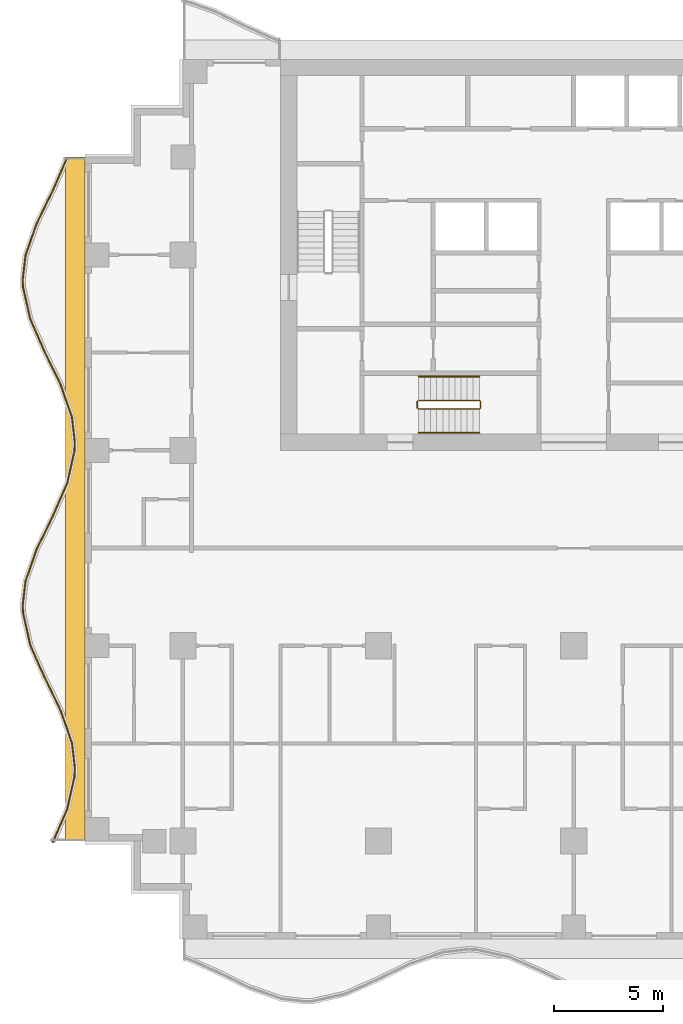
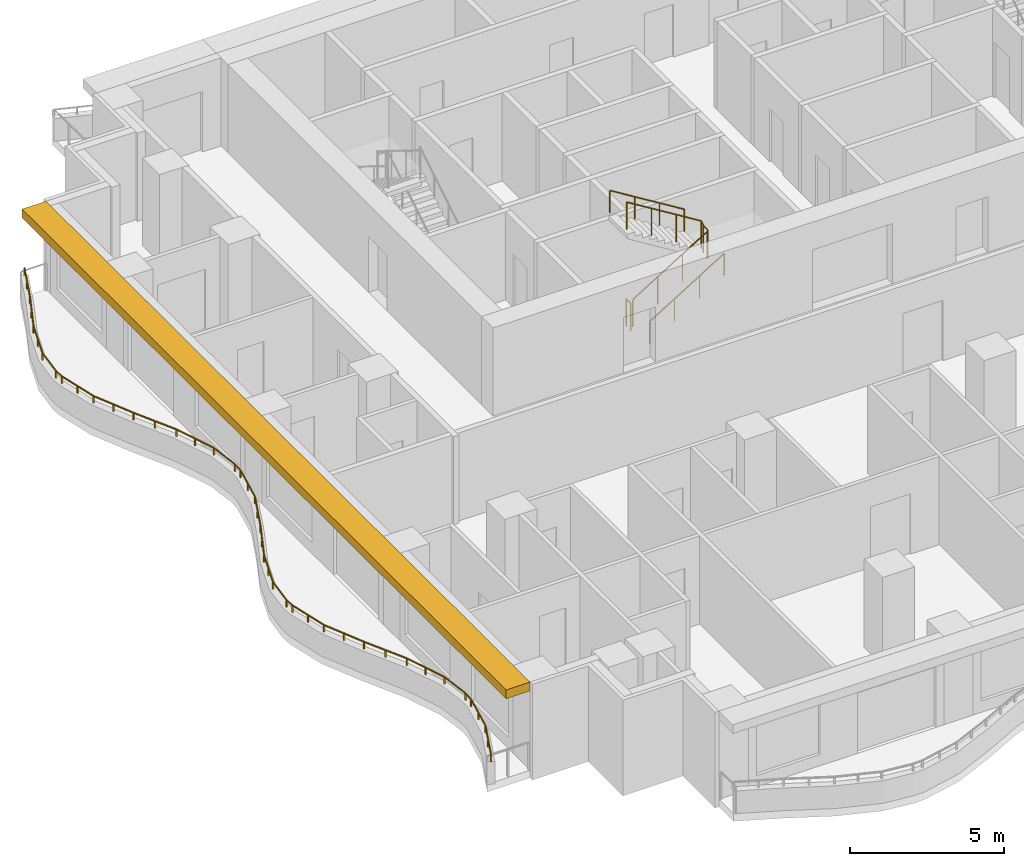
# One storey, part 8 of 10: 5 railings, 1 shading device.
"""IFC4 building model written with IfcOpenShell, lengths in metres."""

from ifc_helpers import new_model, si_unit, direction, frame, origin, origin_2d, place, context, subcontext, project, spatial, polyline, rectangle, circle, outline, extrude, material, layer, layer_set, type_object, element, save


model = new_model("IFC4")

# Units and contexts
model_context = context("Model", 3, precision=1e-05, world=origin(), true_north=direction((0.0, 1.0)))
body_context = subcontext(model_context, "Body", "Model", "MODEL_VIEW")
ifc_project = project(units=[si_unit("LENGTHUNIT", "METRE"), si_unit("AREAUNIT", "SQUARE_METRE"), si_unit("VOLUMEUNIT", "CUBIC_METRE"), si_unit("PLANEANGLEUNIT", "RADIAN"), si_unit("MASSUNIT", "GRAM", prefix="KILO")], contexts=[model_context])

# Site, building, storey
site_placement = place(None, origin())
site = spatial("IfcSite", under=ifc_project, at=site_placement, CompositionType="ELEMENT")
building_placement = place(site_placement, origin())
building = spatial("IfcBuilding", under=site, at=building_placement, Name="Orbiselva Terraces", CompositionType="ELEMENT")
storey_placement = place(building_placement, frame((0.0, 0.0, 170.6)))
storey = spatial("IfcBuildingStorey", under=building, at=storey_placement, Name="L43", CompositionType="ELEMENT", Elevation=170.6)

# Railings
ifc_material_1 = material(Name="Stainless steel", Category="steel")
railing_type_1 = type_object("IfcRailingType", Name="CORE-GUARD-1100", PredefinedType="GUARDRAIL", material=ifc_material_1)
railing_1_placement = place(storey_placement, frame((-7.15, 6.4, 0.172727)))
element("IfcRailing", 1, at=railing_1_placement, inside=storey, type_object=railing_type_1, Name="L43 S3 stair guard 1", PredefinedType="GUARDRAIL", context=body_context, shape_type="SweptSolid", body=[
    extrude(circle(Radius=0.024, at=origin_2d()), frame((0.0, 0.0, 1.081), z_axis=(0.851088519012, 0.0, 0.52502222125), x_axis=(0.0, 1.0, 0.0)), (0.0, 0.0, 1.0), 3.289905),
    extrude(circle(Radius=0.024, at=origin_2d()), frame((2.8, 0.0, 2.808273), z_axis=(0.707106781187, 0.707106781187, 0.0), x_axis=(-0.707106781187, 0.707106781187, 0.0)), (0.0, 0.0, 1.0), 0.070711),
    extrude(circle(Radius=0.024, at=origin_2d()), frame((2.85, 0.05, 2.808273), z_axis=(0.0, 1.0, 0.0), x_axis=(-1.0, 0.0, 0.0)), (0.0, 0.0, 1.0), 0.3),
    extrude(circle(Radius=0.024, at=origin_2d()), frame((2.85, 0.35, 2.808273), z_axis=(-0.267894925557, 0.267894925557, 0.925453736133), x_axis=(-0.707106781187, -0.707106781187, 0.0)), (0.0, 0.0, 1.0), 0.18664),
    extrude(circle(Radius=0.024, at=origin_2d()), frame((2.8, 0.4, 2.981), z_axis=(-0.851088519012, 0.0, 0.52502222125), x_axis=(0.0, -1.0, 0.0)), (0.0, 0.0, 1.0), 3.289905),
    extrude(circle(Radius=0.021, at=origin_2d()), origin(), (0.0, 0.0, 1.0), 1.057),
    extrude(circle(Radius=0.021, at=origin_2d()), frame((0.933333, 0.0, 0.575758)), (0.0, 0.0, 1.0), 1.057),
    extrude(circle(Radius=0.021, at=origin_2d()), frame((1.866667, 0.0, 1.151515)), (0.0, 0.0, 1.0), 1.057),
    extrude(circle(Radius=0.021, at=origin_2d()), frame((2.8, 0.0, 1.727273)), (0.0, 0.0, 1.0), 1.057),
    extrude(circle(Radius=0.021, at=origin_2d()), frame((2.85, 0.05, 1.727273)), (0.0, 0.0, 1.0), 1.057),
    extrude(circle(Radius=0.021, at=origin_2d()), frame((2.85, 0.35, 1.727273)), (0.0, 0.0, 1.0), 1.057),
    extrude(circle(Radius=0.021, at=origin_2d()), frame((2.8, 0.4, 1.9)), (0.0, 0.0, 1.0), 1.057),
    extrude(circle(Radius=0.021, at=origin_2d()), frame((1.866667, 0.4, 2.475758)), (0.0, 0.0, 1.0), 1.057),
    extrude(circle(Radius=0.021, at=origin_2d()), frame((0.933333, 0.4, 3.051515)), (0.0, 0.0, 1.0), 1.057),
    extrude(circle(Radius=0.021, at=origin_2d()), frame((0.0, 0.4, 3.627273)), (0.0, 0.0, 1.0), 1.057),
])
railing_2_placement = place(storey_placement, frame((-7.2, 6.45, 0.0)))
element("IfcRailing", 2, at=railing_2_placement, inside=storey, type_object=railing_type_1, Name="L43 S3 stair guard 2", PredefinedType="GUARDRAIL", context=body_context, shape_type="SweptSolid", body=[
    extrude(circle(Radius=0.024, at=origin_2d()), frame((0.0, 0.0, 1.081), z_axis=(0.0, 1.0, 0.0), x_axis=(-1.0, 0.0, 0.0)), (0.0, 0.0, 1.0), 0.3),
    extrude(circle(Radius=0.021, at=origin_2d()), origin(), (0.0, 0.0, 1.0), 1.057),
    extrude(circle(Radius=0.021, at=origin_2d()), frame((0.0, 0.3, 0.0)), (0.0, 0.0, 1.0), 1.057),
])
railing_type_2 = type_object("IfcRailingType", Name="CORE-HANDRAIL-900", PredefinedType="HANDRAIL", material=ifc_material_1)
railing_3_placement = place(storey_placement, frame((-7.15, 5.3, 0.172727)))
element("IfcRailing", 3, at=railing_3_placement, inside=storey, type_object=railing_type_2, Name="L43 S3 stair handrail 1", PredefinedType="HANDRAIL", context=body_context, shape_type="SweptSolid", body=[
    extrude(circle(Radius=0.024, at=origin_2d()), frame((0.0, 0.0, 0.876), z_axis=(0.851088519012, 0.0, 0.52502222125), x_axis=(0.0, 1.0, 0.0)), (0.0, 0.0, 1.0), 3.289905),
    extrude(circle(Radius=0.021, at=origin_2d()), origin(), (0.0, 0.0, 1.0), 0.852),
    extrude(circle(Radius=0.021, at=origin_2d()), frame((0.933333, 0.0, 0.575758)), (0.0, 0.0, 1.0), 0.852),
    extrude(circle(Radius=0.021, at=origin_2d()), frame((1.866667, 0.0, 1.151515)), (0.0, 0.0, 1.0), 0.852),
    extrude(circle(Radius=0.021, at=origin_2d()), frame((2.8, 0.0, 1.727273)), (0.0, 0.0, 1.0), 0.852),
])
railing_4_placement = place(storey_placement, frame((-4.35, 7.9, 2.072727)))
element("IfcRailing", 4, at=railing_4_placement, inside=storey, type_object=railing_type_2, Name="L43 S3 stair handrail 2", PredefinedType="HANDRAIL", context=body_context, shape_type="SweptSolid", body=[
    extrude(circle(Radius=0.024, at=origin_2d()), frame((0.0, 0.0, 0.876), z_axis=(-0.851088519012, 0.0, 0.52502222125), x_axis=(0.0, -1.0, 0.0)), (0.0, 0.0, 1.0), 3.289905),
    extrude(circle(Radius=0.021, at=origin_2d()), origin(), (0.0, 0.0, 1.0), 0.852),
    extrude(circle(Radius=0.021, at=origin_2d()), frame((-0.933333, 0.0, 0.575758)), (0.0, 0.0, 1.0), 0.852),
    extrude(circle(Radius=0.021, at=origin_2d()), frame((-1.866667, 0.0, 1.151515)), (0.0, 0.0, 1.0), 0.852),
    extrude(circle(Radius=0.021, at=origin_2d()), frame((-2.8, 0.0, 1.727273)), (0.0, 0.0, 1.0), 0.852),
])
ifc_material_2 = material(Name="Bonded two-ply safety glass balustrade, stainless steel posts", Category="steel")
railing_type_3 = type_object("IfcRailingType", Name="ENV-BALUSTRADE-1200", PredefinedType="BALUSTRADE", material=ifc_material_2)
railing_5_placement = place(storey_placement, frame((-23.33708, 17.949606, 0.9)))
element("IfcRailing", 5, at=railing_5_placement, inside=storey, type_object=railing_type_3, Name="Balcony balustrade L43 W", PredefinedType="BALUSTRADE", context=body_context, shape_type="SweptSolid", body=[
    extrude(outline(polyline([(0.028868, 0.0), (0.014434, 0.025), (-0.014434, 0.025), (-0.028868, 0.0), (-0.014434, -0.025), (0.014434, -0.025), (0.028868, 0.0)])), frame((0.0, 0.0, 0.275), z_axis=(-0.403151175476, -0.915133394491, 0.0), x_axis=(0.915133394491, -0.403151175476, 0.0)), (0.0, 0.0, 1.0), 1.641563),
    extrude(outline(polyline([(0.028868, 0.0), (0.014434, 0.025), (-0.014434, 0.025), (-0.028868, 0.0), (-0.014434, -0.025), (0.014434, -0.025), (0.028868, 0.0)])), frame((-0.661798, -1.502249, 0.275), z_axis=(-0.438811978768, -0.89857890432, 0.0), x_axis=(0.89857890432, -0.438811978768, 0.0)), (0.0, 0.0, 1.0), 1.66438),
    extrude(outline(polyline([(0.028868, 0.0), (0.014434, 0.025), (-0.014434, 0.025), (-0.028868, 0.0), (-0.014434, -0.025), (0.014434, -0.025), (0.028868, 0.0)])), frame((-1.392148, -2.997826, 0.275), z_axis=(-0.330024754707, -0.943972277814, 0.0), x_axis=(0.943972277814, -0.330024754707, 0.0)), (0.0, 0.0, 1.0), 1.567807),
    extrude(outline(polyline([(0.028868, 0.0), (0.014434, 0.025), (-0.014434, 0.025), (-0.028868, 0.0), (-0.014434, -0.025), (0.014434, -0.025), (0.028868, 0.0)])), frame((-1.909563, -4.477792, 0.275), z_axis=(-0.115481264762, -0.993309658409, 0.0), x_axis=(0.993309658409, -0.115481264762, 0.0)), (0.0, 0.0, 1.0), 1.10902),
    extrude(outline(polyline([(0.028868, 0.0), (0.014434, 0.025), (-0.014434, 0.025), (-0.028868, 0.0), (-0.014434, -0.025), (0.014434, -0.025), (0.028868, 0.0)])), frame((-2.037634, -5.579392, 0.275), z_axis=(0.039364150694, -0.999224931454, 0.0), x_axis=(0.999224931454, 0.039364150694, 0.0)), (0.0, 0.0, 1.0), 0.354206),
    extrude(outline(polyline([(0.028868, 0.0), (0.014434, 0.025), (-0.014434, 0.025), (-0.028868, 0.0), (-0.014434, -0.025), (0.014434, -0.025), (0.028868, 0.0)])), frame((-2.023691, -5.933323, 0.275), z_axis=(0.219015740235, -0.975721325753, 0.0), x_axis=(0.975721325753, 0.219015740235, 0.0)), (0.0, 0.0, 1.0), 1.513782),
    extrude(outline(polyline([(0.028868, 0.0), (0.014434, 0.025), (-0.014434, 0.025), (-0.028868, 0.0), (-0.014434, -0.025), (0.014434, -0.025), (0.028868, 0.0)])), frame((-1.692149, -7.410352, 0.275), z_axis=(0.403151245402, -0.915133363686, 0.0), x_axis=(0.915133363686, 0.403151245402, 0.0)), (0.0, 0.0, 1.0), 1.624475),
    extrude(outline(polyline([(0.028868, 0.0), (0.014434, 0.025), (-0.014434, 0.025), (-0.028868, 0.0), (-0.014434, -0.025), (0.014434, -0.025), (0.028868, 0.0)])), frame((-1.03724, -8.896963, 0.275), z_axis=(0.438812048596, -0.898578870221, 0.0), x_axis=(0.898578870221, 0.438812048596, 0.0)), (0.0, 0.0, 1.0), 1.674225),
    extrude(outline(polyline([(0.028868, 0.0), (0.014434, 0.025), (-0.014434, 0.025), (-0.028868, 0.0), (-0.014434, -0.025), (0.014434, -0.025), (0.028868, 0.0)])), frame((-0.30257, -10.401386, 0.275), z_axis=(0.330024597479, -0.943972332783, 0.0), x_axis=(0.943972332783, 0.330024597479, 0.0)), (0.0, 0.0, 1.0), 1.610253),
    extrude(outline(polyline([(0.028868, 0.0), (0.014434, 0.025), (-0.014434, 0.025), (-0.028868, 0.0), (-0.014434, -0.025), (0.014434, -0.025), (0.028868, 0.0)])), frame((0.228853, -11.92142, 0.275), z_axis=(0.115482182324, -0.993309551734, 0.0), x_axis=(0.993309551734, 0.115482182324, 0.0)), (0.0, 0.0, 1.0), 1.156135),
    extrude(outline(polyline([(0.028868, 0.0), (0.014434, 0.025), (-0.014434, 0.025), (-0.028868, 0.0), (-0.014434, -0.025), (0.014434, -0.025), (0.028868, 0.0)])), frame((0.362366, -13.06982, 0.275), z_axis=(-0.03936915532, -0.999224734286, 0.0), x_axis=(0.999224734286, -0.03936915532, 0.0)), (0.0, 0.0, 1.0), 0.396376),
    extrude(outline(polyline([(0.028868, 0.0), (0.014434, 0.025), (-0.014434, 0.025), (-0.028868, 0.0), (-0.014434, -0.025), (0.014434, -0.025), (0.028868, 0.0)])), frame((0.346761, -13.465889, 0.275), z_axis=(-0.219015500924, -0.97572137947, 0.0), x_axis=(0.97572137947, -0.219015500924, 0.0)), (0.0, 0.0, 1.0), 1.560867),
    extrude(outline(polyline([(0.028868, 0.0), (0.014434, 0.025), (-0.014434, 0.025), (-0.028868, 0.0), (-0.014434, -0.025), (0.014434, -0.025), (0.028868, 0.0)])), frame((0.004907, -14.98886, 0.275), z_axis=(-0.403150874148, -0.915133527237, 0.0), x_axis=(0.915133527237, -0.403150874148, 0.0)), (0.0, 0.0, 1.0), 1.653736),
    extrude(outline(polyline([(0.028868, 0.0), (0.014434, 0.025), (-0.014434, 0.025), (-0.028868, 0.0), (-0.014434, -0.025), (0.014434, -0.025), (0.028868, 0.0)])), frame((-0.661798, -16.502249, 0.275), z_axis=(-0.438811978768, -0.89857890432, 0.0), x_axis=(0.89857890432, -0.438811978768, 0.0)), (0.0, 0.0, 1.0), 1.66438),
    extrude(outline(polyline([(0.028868, 0.0), (0.014434, 0.025), (-0.014434, 0.025), (-0.028868, 0.0), (-0.014434, -0.025), (0.014434, -0.025), (0.028868, 0.0)])), frame((-1.392148, -17.997826, 0.275), z_axis=(-0.330024754707, -0.943972277814, 0.0), x_axis=(0.943972277814, -0.330024754707, 0.0)), (0.0, 0.0, 1.0), 1.567807),
    extrude(outline(polyline([(0.028868, 0.0), (0.014434, 0.025), (-0.014434, 0.025), (-0.028868, 0.0), (-0.014434, -0.025), (0.014434, -0.025), (0.028868, 0.0)])), frame((-1.909563, -19.477792, 0.275), z_axis=(-0.115481264762, -0.993309658409, 0.0), x_axis=(0.993309658409, -0.115481264762, 0.0)), (0.0, 0.0, 1.0), 1.10902),
    extrude(outline(polyline([(0.028868, 0.0), (0.014434, 0.025), (-0.014434, 0.025), (-0.028868, 0.0), (-0.014434, -0.025), (0.014434, -0.025), (0.028868, 0.0)])), frame((-2.037634, -20.579392, 0.275), z_axis=(0.039364150694, -0.999224931454, 0.0), x_axis=(0.999224931454, 0.039364150694, 0.0)), (0.0, 0.0, 1.0), 0.354206),
    extrude(outline(polyline([(0.028868, 0.0), (0.014434, 0.025), (-0.014434, 0.025), (-0.028868, 0.0), (-0.014434, -0.025), (0.014434, -0.025), (0.028868, 0.0)])), frame((-2.023691, -20.933323, 0.275), z_axis=(0.219015740235, -0.975721325753, 0.0), x_axis=(0.975721325753, 0.219015740235, 0.0)), (0.0, 0.0, 1.0), 1.513782),
    extrude(outline(polyline([(0.028868, 0.0), (0.014434, 0.025), (-0.014434, 0.025), (-0.028868, 0.0), (-0.014434, -0.025), (0.014434, -0.025), (0.028868, 0.0)])), frame((-1.692149, -22.410352, 0.275), z_axis=(0.403151245402, -0.915133363686, 0.0), x_axis=(0.915133363686, 0.403151245402, 0.0)), (0.0, 0.0, 1.0), 1.624475),
    extrude(outline(polyline([(0.028868, 0.0), (0.014434, 0.025), (-0.014434, 0.025), (-0.028868, 0.0), (-0.014434, -0.025), (0.014434, -0.025), (0.028868, 0.0)])), frame((-1.03724, -23.896963, 0.275), z_axis=(0.438812048596, -0.898578870221, 0.0), x_axis=(0.898578870221, 0.438812048596, 0.0)), (0.0, 0.0, 1.0), 1.674225),
    extrude(outline(polyline([(0.028868, 0.0), (0.014434, 0.025), (-0.014434, 0.025), (-0.028868, 0.0), (-0.014434, -0.025), (0.014434, -0.025), (0.028868, 0.0)])), frame((-0.30257, -25.401386, 0.275), z_axis=(0.330024597479, -0.943972332783, 0.0), x_axis=(0.943972332783, 0.330024597479, 0.0)), (0.0, 0.0, 1.0), 1.610253),
    extrude(outline(polyline([(0.028868, 0.0), (0.014434, 0.025), (-0.014434, 0.025), (-0.028868, 0.0), (-0.014434, -0.025), (0.014434, -0.025), (0.028868, 0.0)])), frame((0.228853, -26.92142, 0.275), z_axis=(0.115482182324, -0.993309551734, 0.0), x_axis=(0.993309551734, 0.115482182324, 0.0)), (0.0, 0.0, 1.0), 1.156135),
    extrude(outline(polyline([(0.028868, 0.0), (0.014434, 0.025), (-0.014434, 0.025), (-0.028868, 0.0), (-0.014434, -0.025), (0.014434, -0.025), (0.028868, 0.0)])), frame((0.362366, -28.06982, 0.275), z_axis=(-0.03936915532, -0.999224734286, 0.0), x_axis=(0.999224734286, -0.03936915532, 0.0)), (0.0, 0.0, 1.0), 0.396376),
    extrude(outline(polyline([(0.028868, 0.0), (0.014434, 0.025), (-0.014434, 0.025), (-0.028868, 0.0), (-0.014434, -0.025), (0.014434, -0.025), (0.028868, 0.0)])), frame((0.346761, -28.465889, 0.275), z_axis=(-0.219015500924, -0.97572137947, 0.0), x_axis=(0.97572137947, -0.219015500924, 0.0)), (0.0, 0.0, 1.0), 1.560867),
    extrude(outline(polyline([(0.028868, 0.0), (0.014434, 0.025), (-0.014434, 0.025), (-0.028868, 0.0), (-0.014434, -0.025), (0.014434, -0.025), (0.028868, 0.0)])), frame((0.004907, -29.98886, 0.275), z_axis=(-0.403150757208, -0.915133578754, 0.0), x_axis=(0.915133578754, -0.403150757208, 0.0)), (0.0, 0.0, 1.0), 1.651278),
    extrude(rectangle(XDim=0.05, YDim=0.05, at=origin_2d()), origin(), (0.0, 0.0, 1.0), 0.25),
    extrude(rectangle(XDim=0.05, YDim=0.05, at=origin_2d()), frame((-0.330899, -0.751124, 0.0)), (0.0, 0.0, 1.0), 0.25),
    extrude(rectangle(XDim=0.05, YDim=0.05, at=origin_2d()), frame((-0.661798, -1.502249, 0.0)), (0.0, 0.0, 1.0), 0.25),
    extrude(rectangle(XDim=0.05, YDim=0.05, at=origin_2d()), frame((-1.026973, -2.250037, 0.0)), (0.0, 0.0, 1.0), 0.25),
    extrude(rectangle(XDim=0.05, YDim=0.05, at=origin_2d()), frame((-1.392148, -2.997826, 0.0)), (0.0, 0.0, 1.0), 0.25),
    extrude(rectangle(XDim=0.05, YDim=0.05, at=origin_2d()), frame((-1.650855, -3.737809, 0.0)), (0.0, 0.0, 1.0), 0.25),
    extrude(rectangle(XDim=0.05, YDim=0.05, at=origin_2d()), frame((-1.909563, -4.477792, 0.0)), (0.0, 0.0, 1.0), 0.25),
    extrude(rectangle(XDim=0.05, YDim=0.05, at=origin_2d()), frame((-2.037634, -5.579392, 0.0)), (0.0, 0.0, 1.0), 0.25),
    extrude(rectangle(XDim=0.05, YDim=0.05, at=origin_2d()), frame((-2.023691, -5.933323, 0.0)), (0.0, 0.0, 1.0), 0.25),
    extrude(rectangle(XDim=0.05, YDim=0.05, at=origin_2d()), frame((-1.85792, -6.671838, 0.0)), (0.0, 0.0, 1.0), 0.25),
    extrude(rectangle(XDim=0.05, YDim=0.05, at=origin_2d()), frame((-1.692149, -7.410352, 0.0)), (0.0, 0.0, 1.0), 0.25),
    extrude(rectangle(XDim=0.05, YDim=0.05, at=origin_2d()), frame((-1.364695, -8.153658, 0.0)), (0.0, 0.0, 1.0), 0.25),
    extrude(rectangle(XDim=0.05, YDim=0.05, at=origin_2d()), frame((-1.03724, -8.896963, 0.0)), (0.0, 0.0, 1.0), 0.25),
    extrude(rectangle(XDim=0.05, YDim=0.05, at=origin_2d()), frame((-0.669905, -9.649174, 0.0)), (0.0, 0.0, 1.0), 0.25),
    extrude(rectangle(XDim=0.05, YDim=0.05, at=origin_2d()), frame((-0.30257, -10.401386, 0.0)), (0.0, 0.0, 1.0), 0.25),
    extrude(rectangle(XDim=0.05, YDim=0.05, at=origin_2d()), frame((-0.036858, -11.161403, 0.0)), (0.0, 0.0, 1.0), 0.25),
    extrude(rectangle(XDim=0.05, YDim=0.05, at=origin_2d()), frame((0.228853, -11.92142, 0.0)), (0.0, 0.0, 1.0), 0.25),
    extrude(rectangle(XDim=0.05, YDim=0.05, at=origin_2d()), frame((0.362366, -13.06982, 0.0)), (0.0, 0.0, 1.0), 0.25),
    extrude(rectangle(XDim=0.05, YDim=0.05, at=origin_2d()), frame((0.346761, -13.465889, 0.0)), (0.0, 0.0, 1.0), 0.25),
    extrude(rectangle(XDim=0.05, YDim=0.05, at=origin_2d()), frame((0.175834, -14.227374, 0.0)), (0.0, 0.0, 1.0), 0.25),
    extrude(rectangle(XDim=0.05, YDim=0.05, at=origin_2d()), frame((0.004907, -14.98886, 0.0)), (0.0, 0.0, 1.0), 0.25),
    extrude(rectangle(XDim=0.05, YDim=0.05, at=origin_2d()), frame((-0.328446, -15.745554, 0.0)), (0.0, 0.0, 1.0), 0.25),
    extrude(rectangle(XDim=0.05, YDim=0.05, at=origin_2d()), frame((-0.661798, -16.502249, 0.0)), (0.0, 0.0, 1.0), 0.25),
    extrude(rectangle(XDim=0.05, YDim=0.05, at=origin_2d()), frame((-1.026973, -17.250037, 0.0)), (0.0, 0.0, 1.0), 0.25),
    extrude(rectangle(XDim=0.05, YDim=0.05, at=origin_2d()), frame((-1.392148, -17.997826, 0.0)), (0.0, 0.0, 1.0), 0.25),
    extrude(rectangle(XDim=0.05, YDim=0.05, at=origin_2d()), frame((-1.650855, -18.737809, 0.0)), (0.0, 0.0, 1.0), 0.25),
    extrude(rectangle(XDim=0.05, YDim=0.05, at=origin_2d()), frame((-1.909563, -19.477792, 0.0)), (0.0, 0.0, 1.0), 0.25),
    extrude(rectangle(XDim=0.05, YDim=0.05, at=origin_2d()), frame((-2.037634, -20.579392, 0.0)), (0.0, 0.0, 1.0), 0.25),
    extrude(rectangle(XDim=0.05, YDim=0.05, at=origin_2d()), frame((-2.023691, -20.933323, 0.0)), (0.0, 0.0, 1.0), 0.25),
    extrude(rectangle(XDim=0.05, YDim=0.05, at=origin_2d()), frame((-1.85792, -21.671838, 0.0)), (0.0, 0.0, 1.0), 0.25),
    extrude(rectangle(XDim=0.05, YDim=0.05, at=origin_2d()), frame((-1.692149, -22.410352, 0.0)), (0.0, 0.0, 1.0), 0.25),
    extrude(rectangle(XDim=0.05, YDim=0.05, at=origin_2d()), frame((-1.364695, -23.153658, 0.0)), (0.0, 0.0, 1.0), 0.25),
    extrude(rectangle(XDim=0.05, YDim=0.05, at=origin_2d()), frame((-1.03724, -23.896963, 0.0)), (0.0, 0.0, 1.0), 0.25),
    extrude(rectangle(XDim=0.05, YDim=0.05, at=origin_2d()), frame((-0.669905, -24.649174, 0.0)), (0.0, 0.0, 1.0), 0.25),
    extrude(rectangle(XDim=0.05, YDim=0.05, at=origin_2d()), frame((-0.30257, -25.401386, 0.0)), (0.0, 0.0, 1.0), 0.25),
    extrude(rectangle(XDim=0.05, YDim=0.05, at=origin_2d()), frame((-0.036858, -26.161403, 0.0)), (0.0, 0.0, 1.0), 0.25),
    extrude(rectangle(XDim=0.05, YDim=0.05, at=origin_2d()), frame((0.228853, -26.92142, 0.0)), (0.0, 0.0, 1.0), 0.25),
    extrude(rectangle(XDim=0.05, YDim=0.05, at=origin_2d()), frame((0.362366, -28.06982, 0.0)), (0.0, 0.0, 1.0), 0.25),
    extrude(rectangle(XDim=0.05, YDim=0.05, at=origin_2d()), frame((0.346761, -28.465889, 0.0)), (0.0, 0.0, 1.0), 0.25),
    extrude(rectangle(XDim=0.05, YDim=0.05, at=origin_2d()), frame((0.175834, -29.227374, 0.0)), (0.0, 0.0, 1.0), 0.25),
    extrude(rectangle(XDim=0.05, YDim=0.05, at=origin_2d()), frame((0.004907, -29.98886, 0.0)), (0.0, 0.0, 1.0), 0.25),
    extrude(rectangle(XDim=0.05, YDim=0.05, at=origin_2d()), frame((-0.32795, -30.74443, 0.0)), (0.0, 0.0, 1.0), 0.25),
    extrude(rectangle(XDim=0.05, YDim=0.05, at=origin_2d()), frame((-0.660807, -31.5, 0.0)), (0.0, 0.0, 1.0), 0.25),
])

# Shading device
ifc_material_3 = material(Name="Terracotta baguette sunshade", Category="masonry")
ifc_layer = layer(ifc_material_3, 0.35)
ifc_layer_set = layer_set([ifc_layer], Name="Terracotta baguette sunshade")
shading_device_type = type_object("IfcShadingDeviceType", Name="ENV-SUNSHADE-900x350", PredefinedType="USERDEFINED", material=ifc_layer_set)
shading_device_placement = place(storey_placement, frame((0.0, 0.0, 3.15)))
element("IfcShadingDevice", 6, at=shading_device_placement, inside=storey, type_object=shading_device_type, Name="Sunshade band L43 W", ObjectType="SUNSHADE", PredefinedType="USERDEFINED", context=body_context, shape_type="SweptSolid", body=[
    extrude(outline(polyline([(-23.4, 18.0), (-23.4, -13.5), (-22.5, -13.5), (-22.5, 18.0), (-23.4, 18.0)])), origin(), (0.0, 0.0, 1.0), 0.35),
])

save(model, "model.ifc")
